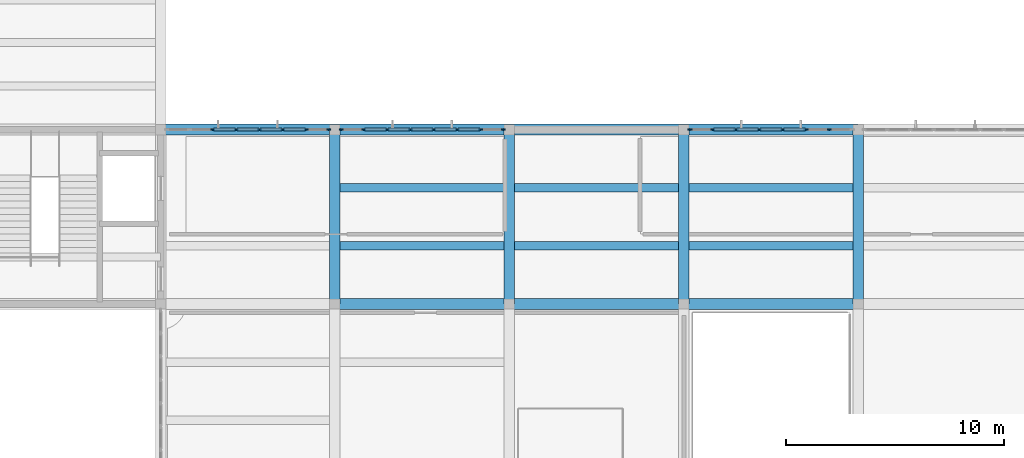
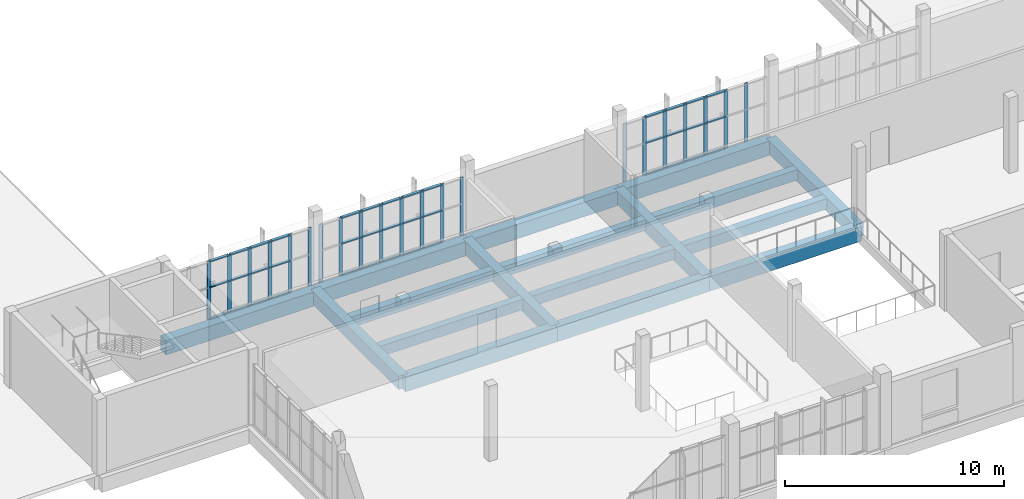
# One storey, part 16 of 70: 60 members, 17 beams, 3 elements without a shape of their own.
"""IFC4 building model written with IfcOpenShell, lengths in metres."""

from ifc_helpers import new_model, si_unit, direction, frame, origin, origin_2d, place, context, subcontext, project, spatial, rectangle, extrude, material, layer, layer_set, material_profile, profile_set, type_object, element, aggregate, save


model = new_model("IFC4")

# Units and contexts
model_context = context("Model", 3, precision=1e-05, world=origin(), true_north=direction((0.0, 1.0)))
body_context = subcontext(model_context, "Body", "Model", "MODEL_VIEW")
ifc_project = project(units=[si_unit("LENGTHUNIT", "METRE"), si_unit("AREAUNIT", "SQUARE_METRE"), si_unit("VOLUMEUNIT", "CUBIC_METRE"), si_unit("PLANEANGLEUNIT", "RADIAN"), si_unit("MASSUNIT", "GRAM", prefix="KILO")], contexts=[model_context])

# Site, building, storey
site_placement = place(None, origin())
site = spatial("IfcSite", under=ifc_project, at=site_placement, CompositionType="ELEMENT")
building_placement = place(site_placement, origin())
building = spatial("IfcBuilding", under=site, at=building_placement, Name="Solvane Community Centre", CompositionType="ELEMENT")
storey_placement = place(building_placement, frame((0.0, 0.0, 9.60009765625)))
storey = spatial("IfcBuildingStorey", under=building, at=storey_placement, Name="L02", CompositionType="ELEMENT", Elevation=9.60009765625)

# Curtain wall, members
ifc_material_1 = material(Name="Anodised bronze aluminium AW-6063 T6", Category="aluminium")
ifc_layer = layer(ifc_material_1, 0.18994140625)
ifc_layer_set = layer_set([ifc_layer], Name="Anodised bronze aluminium AW-6063 T6")
curtain_wall_type = type_object("IfcCurtainWallType", Name="Boulevard Bronze Vision Curtain Wall [75x32dm]", PredefinedType="NOTDEFINED", material=ifc_layer_set)
curtain_wall_1_placement = place(storey_placement, origin())
curtain_wall_1 = element("IfcCurtainWall", 1, at=curtain_wall_1_placement, inside=storey, type_object=curtain_wall_type, Name="Curtain Wall CW-L02-683_300-192", PredefinedType="NOTDEFINED")
ifc_material_profile_1 = material_profile(ifc_material_1, rectangle(XDim=0.06005859375, YDim=0.18994140625, at=origin_2d()), Name="CW-M 60x190")
ifc_profile_set_1 = profile_set([ifc_material_profile_1], Name="Anodised bronze aluminium AW-6063 T6")
member_type_1 = type_object("IfcMemberType", Name="Boulevard Mullion 60x190", PredefinedType="MULLION", material=ifc_profile_set_1)
member_1_placement = place(storey_placement, frame((70.39501953125, 30.0, 0.0), z_axis=(0.0, 0.0, 1.0), x_axis=(0.0, 1.0, 0.0)))
member_1 = element("IfcMember", 2, at=member_1_placement, type_object=member_type_1, Name="CW02-75x32 mullion 3", PredefinedType="MULLION", context=body_context, shape_type="SweptSolid", body=[
    extrude(rectangle(XDim=0.06005859375, YDim=0.18994140625, at=origin_2d()), origin(), (0.0, 0.0, 1.0), 3.244873046875),
])
member_2_placement = place(storey_placement, frame((71.465087890625, 30.0, 0.0), z_axis=(0.0, 0.0, 1.0), x_axis=(0.0, 1.0, 0.0)))
member_2 = element("IfcMember", 3, at=member_2_placement, type_object=member_type_1, Name="CW02-75x32 mullion 4", PredefinedType="MULLION", context=body_context, shape_type="SweptSolid", body=[
    extrude(rectangle(XDim=0.06005859375, YDim=0.18994140625, at=origin_2d()), origin(), (0.0, 0.0, 1.0), 3.244873046875),
])
member_3_placement = place(storey_placement, frame((72.534912109375, 30.0, 0.0), z_axis=(0.0, 0.0, 1.0), x_axis=(0.0, 1.0, 0.0)))
member_3 = element("IfcMember", 4, at=member_3_placement, type_object=member_type_1, Name="CW02-75x32 mullion 5", PredefinedType="MULLION", context=body_context, shape_type="SweptSolid", body=[
    extrude(rectangle(XDim=0.06005859375, YDim=0.18994140625, at=origin_2d()), origin(), (0.0, 0.0, 1.0), 3.244873046875),
])
member_4_placement = place(storey_placement, frame((73.60498046875, 30.0, 0.0), z_axis=(0.0, 0.0, 1.0), x_axis=(0.0, 1.0, 0.0)))
member_4 = element("IfcMember", 5, at=member_4_placement, type_object=member_type_1, Name="CW02-75x32 mullion 6", PredefinedType="MULLION", context=body_context, shape_type="SweptSolid", body=[
    extrude(rectangle(XDim=0.06005859375, YDim=0.18994140625, at=origin_2d()), origin(), (0.0, 0.0, 1.0), 3.244873046875),
])
member_5_placement = place(storey_placement, frame((74.675048828125, 30.0, 0.0), z_axis=(0.0, 0.0, 1.0), x_axis=(0.0, 1.0, 0.0)))
member_5 = element("IfcMember", 6, at=member_5_placement, type_object=member_type_1, Name="CW02-75x32 mullion 7", PredefinedType="MULLION", context=body_context, shape_type="SweptSolid", body=[
    extrude(rectangle(XDim=0.06005859375, YDim=0.18994140625, at=origin_2d()), origin(), (0.0, 0.0, 1.0), 3.244873046875),
])
member_6_placement = place(storey_placement, frame((75.715087890625, 30.0, 0.0), z_axis=(0.0, 0.0, 1.0), x_axis=(0.0, 1.0, 0.0)))
member_6 = element("IfcMember", 7, at=member_6_placement, type_object=member_type_1, Name="CW02-75x32 mullion 8", PredefinedType="MULLION", context=body_context, shape_type="SweptSolid", body=[
    extrude(rectangle(XDim=0.06005859375, YDim=0.18994140625, at=origin_2d()), origin(), (0.0, 0.0, 1.0), 3.244873046875),
])

curtain_wall_2_placement = place(storey_placement, origin())
curtain_wall_2 = element("IfcCurtainWall", 8, at=curtain_wall_2_placement, inside=storey, type_object=curtain_wall_type, Name="Curtain Wall CW-L02-763_300-193", PredefinedType="NOTDEFINED")
member_7_placement = place(storey_placement, frame((76.284912109375, 30.0, 0.0), z_axis=(0.0, 0.0, 1.0), x_axis=(0.0, 1.0, 0.0)))
member_7 = element("IfcMember", 9, at=member_7_placement, type_object=member_type_1, Name="CW02-75x32 mullion 1", PredefinedType="MULLION", context=body_context, shape_type="SweptSolid", body=[
    extrude(rectangle(XDim=0.06005859375, YDim=0.18994140625, at=origin_2d()), origin(), (0.0, 0.0, 1.0), 3.244873046875),
])
member_8_placement = place(storey_placement, frame((77.324951171875, 30.0, 0.0), z_axis=(0.0, 0.0, 1.0), x_axis=(0.0, 1.0, 0.0)))
member_8 = element("IfcMember", 10, at=member_8_placement, type_object=member_type_1, Name="CW02-75x32 mullion 2", PredefinedType="MULLION", context=body_context, shape_type="SweptSolid", body=[
    extrude(rectangle(XDim=0.06005859375, YDim=0.18994140625, at=origin_2d()), origin(), (0.0, 0.0, 1.0), 3.244873046875),
])
member_9_placement = place(storey_placement, frame((78.39501953125, 30.0, 0.0), z_axis=(0.0, 0.0, 1.0), x_axis=(0.0, 1.0, 0.0)))
member_9 = element("IfcMember", 11, at=member_9_placement, type_object=member_type_1, Name="CW02-75x32 mullion 3", PredefinedType="MULLION", context=body_context, shape_type="SweptSolid", body=[
    extrude(rectangle(XDim=0.06005859375, YDim=0.18994140625, at=origin_2d()), origin(), (0.0, 0.0, 1.0), 3.244873046875),
])
member_10_placement = place(storey_placement, frame((79.465087890625, 30.0, 0.0), z_axis=(0.0, 0.0, 1.0), x_axis=(0.0, 1.0, 0.0)))
member_10 = element("IfcMember", 12, at=member_10_placement, type_object=member_type_1, Name="CW02-75x32 mullion 4", PredefinedType="MULLION", context=body_context, shape_type="SweptSolid", body=[
    extrude(rectangle(XDim=0.06005859375, YDim=0.18994140625, at=origin_2d()), origin(), (0.0, 0.0, 1.0), 3.244873046875),
])
member_11_placement = place(storey_placement, frame((80.534912109375, 30.0, 0.0), z_axis=(0.0, 0.0, 1.0), x_axis=(0.0, 1.0, 0.0)))
member_11 = element("IfcMember", 13, at=member_11_placement, type_object=member_type_1, Name="CW02-75x32 mullion 5", PredefinedType="MULLION", context=body_context, shape_type="SweptSolid", body=[
    extrude(rectangle(XDim=0.06005859375, YDim=0.18994140625, at=origin_2d()), origin(), (0.0, 0.0, 1.0), 3.244873046875),
])
member_12_placement = place(storey_placement, frame((81.60498046875, 30.0, 0.0), z_axis=(0.0, 0.0, 1.0), x_axis=(0.0, 1.0, 0.0)))
member_12 = element("IfcMember", 14, at=member_12_placement, type_object=member_type_1, Name="CW02-75x32 mullion 6", PredefinedType="MULLION", context=body_context, shape_type="SweptSolid", body=[
    extrude(rectangle(XDim=0.06005859375, YDim=0.18994140625, at=origin_2d()), origin(), (0.0, 0.0, 1.0), 3.244873046875),
])
member_13_placement = place(storey_placement, frame((82.675048828125, 30.0, 0.0), z_axis=(0.0, 0.0, 1.0), x_axis=(0.0, 1.0, 0.0)))
member_13 = element("IfcMember", 15, at=member_13_placement, type_object=member_type_1, Name="CW02-75x32 mullion 7", PredefinedType="MULLION", context=body_context, shape_type="SweptSolid", body=[
    extrude(rectangle(XDim=0.06005859375, YDim=0.18994140625, at=origin_2d()), origin(), (0.0, 0.0, 1.0), 3.244873046875),
])
member_14_placement = place(storey_placement, frame((83.715087890625, 30.0, 0.0), z_axis=(0.0, 0.0, 1.0), x_axis=(0.0, 1.0, 0.0)))
member_14 = element("IfcMember", 16, at=member_14_placement, type_object=member_type_1, Name="CW02-75x32 mullion 8", PredefinedType="MULLION", context=body_context, shape_type="SweptSolid", body=[
    extrude(rectangle(XDim=0.06005859375, YDim=0.18994140625, at=origin_2d()), origin(), (0.0, 0.0, 1.0), 3.244873046875),
])

curtain_wall_3_placement = place(storey_placement, origin())
curtain_wall_3 = element("IfcCurtainWall", 17, at=curtain_wall_3_placement, inside=storey, type_object=curtain_wall_type, Name="Curtain Wall CW-L02-923_300-194", PredefinedType="NOTDEFINED")
member_15_placement = place(storey_placement, frame((92.284912109375, 30.0, 0.0), z_axis=(0.0, 0.0, 1.0), x_axis=(0.0, 1.0, 0.0)))
member_15 = element("IfcMember", 18, at=member_15_placement, type_object=member_type_1, Name="CW02-75x32 mullion 1", PredefinedType="MULLION", context=body_context, shape_type="SweptSolid", body=[
    extrude(rectangle(XDim=0.06005859375, YDim=0.18994140625, at=origin_2d()), origin(), (0.0, 0.0, 1.0), 3.244873046875),
])
member_16_placement = place(storey_placement, frame((93.324951171875, 30.0, 0.0), z_axis=(0.0, 0.0, 1.0), x_axis=(0.0, 1.0, 0.0)))
member_16 = element("IfcMember", 19, at=member_16_placement, type_object=member_type_1, Name="CW02-75x32 mullion 2", PredefinedType="MULLION", context=body_context, shape_type="SweptSolid", body=[
    extrude(rectangle(XDim=0.06005859375, YDim=0.18994140625, at=origin_2d()), origin(), (0.0, 0.0, 1.0), 3.244873046875),
])
member_17_placement = place(storey_placement, frame((94.39501953125, 30.0, 0.0), z_axis=(0.0, 0.0, 1.0), x_axis=(0.0, 1.0, 0.0)))
member_17 = element("IfcMember", 20, at=member_17_placement, type_object=member_type_1, Name="CW02-75x32 mullion 3", PredefinedType="MULLION", context=body_context, shape_type="SweptSolid", body=[
    extrude(rectangle(XDim=0.06005859375, YDim=0.18994140625, at=origin_2d()), origin(), (0.0, 0.0, 1.0), 3.244873046875),
])
member_18_placement = place(storey_placement, frame((95.465087890625, 30.0, 0.0), z_axis=(0.0, 0.0, 1.0), x_axis=(0.0, 1.0, 0.0)))
member_18 = element("IfcMember", 21, at=member_18_placement, type_object=member_type_1, Name="CW02-75x32 mullion 4", PredefinedType="MULLION", context=body_context, shape_type="SweptSolid", body=[
    extrude(rectangle(XDim=0.06005859375, YDim=0.18994140625, at=origin_2d()), origin(), (0.0, 0.0, 1.0), 3.244873046875),
])
member_19_placement = place(storey_placement, frame((96.534912109375, 30.0, 0.0), z_axis=(0.0, 0.0, 1.0), x_axis=(0.0, 1.0, 0.0)))
member_19 = element("IfcMember", 22, at=member_19_placement, type_object=member_type_1, Name="CW02-75x32 mullion 5", PredefinedType="MULLION", context=body_context, shape_type="SweptSolid", body=[
    extrude(rectangle(XDim=0.06005859375, YDim=0.18994140625, at=origin_2d()), origin(), (0.0, 0.0, 1.0), 3.244873046875),
])
member_20_placement = place(storey_placement, frame((97.60498046875, 30.0, 0.0), z_axis=(0.0, 0.0, 1.0), x_axis=(0.0, 1.0, 0.0)))
member_20 = element("IfcMember", 23, at=member_20_placement, type_object=member_type_1, Name="CW02-75x32 mullion 6", PredefinedType="MULLION", context=body_context, shape_type="SweptSolid", body=[
    extrude(rectangle(XDim=0.06005859375, YDim=0.18994140625, at=origin_2d()), origin(), (0.0, 0.0, 1.0), 3.244873046875),
])
member_21_placement = place(storey_placement, frame((98.675048828125, 30.0, 0.0), z_axis=(0.0, 0.0, 1.0), x_axis=(0.0, 1.0, 0.0)))
member_21 = element("IfcMember", 24, at=member_21_placement, type_object=member_type_1, Name="CW02-75x32 mullion 7", PredefinedType="MULLION", context=body_context, shape_type="SweptSolid", body=[
    extrude(rectangle(XDim=0.06005859375, YDim=0.18994140625, at=origin_2d()), origin(), (0.0, 0.0, 1.0), 3.244873046875),
])

# Member
ifc_material_profile_2 = material_profile(ifc_material_1, rectangle(XDim=0.14990234375, YDim=0.06005859375, at=origin_2d()), Name="CW-T 60x150")
ifc_profile_set_2 = profile_set([ifc_material_profile_2], Name="Anodised bronze aluminium AW-6063 T6")
member_type_2 = type_object("IfcMemberType", Name="Boulevard Transom 60x150", PredefinedType="USERDEFINED", material=ifc_profile_set_2)
member_22_placement = place(storey_placement, frame((70.425048828125, 30.0, 0.02978515625), z_axis=(1.0, 0.0, 0.0), x_axis=(0.0, 1.0, 0.0)))
member_22 = element("IfcMember", 25, at=member_22_placement, type_object=member_type_2, Name="CW02-75x32 transom 3.1", ObjectType="TRANSOM", PredefinedType="USERDEFINED", context=body_context, shape_type="SweptSolid", body=[
    extrude(rectangle(XDim=0.14990234375, YDim=0.06005859375, at=origin_2d()), origin(), (0.0, 0.0, 1.0), 1.010009765625),
])

member_23_placement = place(storey_placement, frame((70.425048828125, 30.0, 1.784912109375), z_axis=(1.0, 0.0, 0.0), x_axis=(0.0, 1.0, 0.0)))
member_23 = element("IfcMember", 26, at=member_23_placement, type_object=member_type_2, Name="CW02-75x32 transom 3.2", ObjectType="TRANSOM", PredefinedType="USERDEFINED", context=body_context, shape_type="SweptSolid", body=[
    extrude(rectangle(XDim=0.14990234375, YDim=0.06005859375, at=origin_2d()), origin(), (0.0, 0.0, 1.0), 1.010009765625),
])

member_24_placement = place(storey_placement, frame((70.425048828125, 30.0, 3.21484375), z_axis=(1.0, 0.0, 0.0), x_axis=(0.0, 1.0, 0.0)))
member_24 = element("IfcMember", 27, at=member_24_placement, type_object=member_type_2, Name="CW02-75x32 transom 3.3", ObjectType="TRANSOM", PredefinedType="USERDEFINED", context=body_context, shape_type="SweptSolid", body=[
    extrude(rectangle(XDim=0.14990234375, YDim=0.06005859375, at=origin_2d()), origin(), (0.0, 0.0, 1.0), 1.010009765625),
])

member_25_placement = place(storey_placement, frame((71.4951171875, 30.0, 0.02978515625), z_axis=(1.0, 0.0, 0.0), x_axis=(0.0, 1.0, 0.0)))
member_25 = element("IfcMember", 28, at=member_25_placement, type_object=member_type_2, Name="CW02-75x32 transom 4.1", ObjectType="TRANSOM", PredefinedType="USERDEFINED", context=body_context, shape_type="SweptSolid", body=[
    extrude(rectangle(XDim=0.14990234375, YDim=0.06005859375, at=origin_2d()), origin(), (0.0, 0.0, 1.0), 1.009765625),
])

member_26_placement = place(storey_placement, frame((71.4951171875, 30.0, 1.784912109375), z_axis=(1.0, 0.0, 0.0), x_axis=(0.0, 1.0, 0.0)))
member_26 = element("IfcMember", 29, at=member_26_placement, type_object=member_type_2, Name="CW02-75x32 transom 4.2", ObjectType="TRANSOM", PredefinedType="USERDEFINED", context=body_context, shape_type="SweptSolid", body=[
    extrude(rectangle(XDim=0.14990234375, YDim=0.06005859375, at=origin_2d()), origin(), (0.0, 0.0, 1.0), 1.009765625),
])

member_27_placement = place(storey_placement, frame((71.4951171875, 30.0, 3.21484375), z_axis=(1.0, 0.0, 0.0), x_axis=(0.0, 1.0, 0.0)))
member_27 = element("IfcMember", 30, at=member_27_placement, type_object=member_type_2, Name="CW02-75x32 transom 4.3", ObjectType="TRANSOM", PredefinedType="USERDEFINED", context=body_context, shape_type="SweptSolid", body=[
    extrude(rectangle(XDim=0.14990234375, YDim=0.06005859375, at=origin_2d()), origin(), (0.0, 0.0, 1.0), 1.009765625),
])

member_28_placement = place(storey_placement, frame((72.56494140625, 30.0, 0.02978515625), z_axis=(1.0, 0.0, 0.0), x_axis=(0.0, 1.0, 0.0)))
member_28 = element("IfcMember", 31, at=member_28_placement, type_object=member_type_2, Name="CW02-75x32 transom 5.1", ObjectType="TRANSOM", PredefinedType="USERDEFINED", context=body_context, shape_type="SweptSolid", body=[
    extrude(rectangle(XDim=0.14990234375, YDim=0.06005859375, at=origin_2d()), origin(), (0.0, 0.0, 1.0), 1.010009765625),
])

member_29_placement = place(storey_placement, frame((72.56494140625, 30.0, 1.784912109375), z_axis=(1.0, 0.0, 0.0), x_axis=(0.0, 1.0, 0.0)))
member_29 = element("IfcMember", 32, at=member_29_placement, type_object=member_type_2, Name="CW02-75x32 transom 5.2", ObjectType="TRANSOM", PredefinedType="USERDEFINED", context=body_context, shape_type="SweptSolid", body=[
    extrude(rectangle(XDim=0.14990234375, YDim=0.06005859375, at=origin_2d()), origin(), (0.0, 0.0, 1.0), 1.010009765625),
])

member_30_placement = place(storey_placement, frame((72.56494140625, 30.0, 3.21484375), z_axis=(1.0, 0.0, 0.0), x_axis=(0.0, 1.0, 0.0)))
member_30 = element("IfcMember", 33, at=member_30_placement, type_object=member_type_2, Name="CW02-75x32 transom 5.3", ObjectType="TRANSOM", PredefinedType="USERDEFINED", context=body_context, shape_type="SweptSolid", body=[
    extrude(rectangle(XDim=0.14990234375, YDim=0.06005859375, at=origin_2d()), origin(), (0.0, 0.0, 1.0), 1.010009765625),
])

member_31_placement = place(storey_placement, frame((73.635009765625, 30.0, 0.02978515625), z_axis=(1.0, 0.0, 0.0), x_axis=(0.0, 1.0, 0.0)))
member_31 = element("IfcMember", 34, at=member_31_placement, type_object=member_type_2, Name="CW02-75x32 transom 6.1", ObjectType="TRANSOM", PredefinedType="USERDEFINED", context=body_context, shape_type="SweptSolid", body=[
    extrude(rectangle(XDim=0.14990234375, YDim=0.06005859375, at=origin_2d()), origin(), (0.0, 0.0, 1.0), 1.010009765625),
])

member_32_placement = place(storey_placement, frame((73.635009765625, 30.0, 1.784912109375), z_axis=(1.0, 0.0, 0.0), x_axis=(0.0, 1.0, 0.0)))
member_32 = element("IfcMember", 35, at=member_32_placement, type_object=member_type_2, Name="CW02-75x32 transom 6.2", ObjectType="TRANSOM", PredefinedType="USERDEFINED", context=body_context, shape_type="SweptSolid", body=[
    extrude(rectangle(XDim=0.14990234375, YDim=0.06005859375, at=origin_2d()), origin(), (0.0, 0.0, 1.0), 1.010009765625),
])

member_33_placement = place(storey_placement, frame((73.635009765625, 30.0, 3.21484375), z_axis=(1.0, 0.0, 0.0), x_axis=(0.0, 1.0, 0.0)))
member_33 = element("IfcMember", 36, at=member_33_placement, type_object=member_type_2, Name="CW02-75x32 transom 6.3", ObjectType="TRANSOM", PredefinedType="USERDEFINED", context=body_context, shape_type="SweptSolid", body=[
    extrude(rectangle(XDim=0.14990234375, YDim=0.06005859375, at=origin_2d()), origin(), (0.0, 0.0, 1.0), 1.010009765625),
])

aggregate(curtain_wall_1, [member_1, member_2, member_3, member_4, member_5, member_6, member_22, member_23, member_24, member_25, member_26, member_27, member_28, member_29, member_30, member_31, member_32, member_33])

member_34_placement = place(storey_placement, frame((77.35498046875, 30.0, 0.02978515625), z_axis=(1.0, 0.0, 0.0), x_axis=(0.0, 1.0, 0.0)))
member_34 = element("IfcMember", 37, at=member_34_placement, type_object=member_type_2, Name="CW02-75x32 transom 2.1", ObjectType="TRANSOM", PredefinedType="USERDEFINED", context=body_context, shape_type="SweptSolid", body=[
    extrude(rectangle(XDim=0.14990234375, YDim=0.06005859375, at=origin_2d()), origin(), (0.0, 0.0, 1.0), 1.010009765625),
])

member_35_placement = place(storey_placement, frame((77.35498046875, 30.0, 1.784912109375), z_axis=(1.0, 0.0, 0.0), x_axis=(0.0, 1.0, 0.0)))
member_35 = element("IfcMember", 38, at=member_35_placement, type_object=member_type_2, Name="CW02-75x32 transom 2.2", ObjectType="TRANSOM", PredefinedType="USERDEFINED", context=body_context, shape_type="SweptSolid", body=[
    extrude(rectangle(XDim=0.14990234375, YDim=0.06005859375, at=origin_2d()), origin(), (0.0, 0.0, 1.0), 1.010009765625),
])

member_36_placement = place(storey_placement, frame((77.35498046875, 30.0, 3.21484375), z_axis=(1.0, 0.0, 0.0), x_axis=(0.0, 1.0, 0.0)))
member_36 = element("IfcMember", 39, at=member_36_placement, type_object=member_type_2, Name="CW02-75x32 transom 2.3", ObjectType="TRANSOM", PredefinedType="USERDEFINED", context=body_context, shape_type="SweptSolid", body=[
    extrude(rectangle(XDim=0.14990234375, YDim=0.06005859375, at=origin_2d()), origin(), (0.0, 0.0, 1.0), 1.010009765625),
])

member_37_placement = place(storey_placement, frame((78.425048828125, 30.0, 0.02978515625), z_axis=(1.0, 0.0, 0.0), x_axis=(0.0, 1.0, 0.0)))
member_37 = element("IfcMember", 40, at=member_37_placement, type_object=member_type_2, Name="CW02-75x32 transom 3.1", ObjectType="TRANSOM", PredefinedType="USERDEFINED", context=body_context, shape_type="SweptSolid", body=[
    extrude(rectangle(XDim=0.14990234375, YDim=0.06005859375, at=origin_2d()), origin(), (0.0, 0.0, 1.0), 1.010009765625),
])

member_38_placement = place(storey_placement, frame((78.425048828125, 30.0, 1.784912109375), z_axis=(1.0, 0.0, 0.0), x_axis=(0.0, 1.0, 0.0)))
member_38 = element("IfcMember", 41, at=member_38_placement, type_object=member_type_2, Name="CW02-75x32 transom 3.2", ObjectType="TRANSOM", PredefinedType="USERDEFINED", context=body_context, shape_type="SweptSolid", body=[
    extrude(rectangle(XDim=0.14990234375, YDim=0.06005859375, at=origin_2d()), origin(), (0.0, 0.0, 1.0), 1.010009765625),
])

member_39_placement = place(storey_placement, frame((78.425048828125, 30.0, 3.21484375), z_axis=(1.0, 0.0, 0.0), x_axis=(0.0, 1.0, 0.0)))
member_39 = element("IfcMember", 42, at=member_39_placement, type_object=member_type_2, Name="CW02-75x32 transom 3.3", ObjectType="TRANSOM", PredefinedType="USERDEFINED", context=body_context, shape_type="SweptSolid", body=[
    extrude(rectangle(XDim=0.14990234375, YDim=0.06005859375, at=origin_2d()), origin(), (0.0, 0.0, 1.0), 1.010009765625),
])

member_40_placement = place(storey_placement, frame((79.4951171875, 30.0, 0.02978515625), z_axis=(1.0, 0.0, 0.0), x_axis=(0.0, 1.0, 0.0)))
member_40 = element("IfcMember", 43, at=member_40_placement, type_object=member_type_2, Name="CW02-75x32 transom 4.1", ObjectType="TRANSOM", PredefinedType="USERDEFINED", context=body_context, shape_type="SweptSolid", body=[
    extrude(rectangle(XDim=0.14990234375, YDim=0.06005859375, at=origin_2d()), origin(), (0.0, 0.0, 1.0), 1.009765625),
])

member_41_placement = place(storey_placement, frame((79.4951171875, 30.0, 1.784912109375), z_axis=(1.0, 0.0, 0.0), x_axis=(0.0, 1.0, 0.0)))
member_41 = element("IfcMember", 44, at=member_41_placement, type_object=member_type_2, Name="CW02-75x32 transom 4.2", ObjectType="TRANSOM", PredefinedType="USERDEFINED", context=body_context, shape_type="SweptSolid", body=[
    extrude(rectangle(XDim=0.14990234375, YDim=0.06005859375, at=origin_2d()), origin(), (0.0, 0.0, 1.0), 1.009765625),
])

member_42_placement = place(storey_placement, frame((79.4951171875, 30.0, 3.21484375), z_axis=(1.0, 0.0, 0.0), x_axis=(0.0, 1.0, 0.0)))
member_42 = element("IfcMember", 45, at=member_42_placement, type_object=member_type_2, Name="CW02-75x32 transom 4.3", ObjectType="TRANSOM", PredefinedType="USERDEFINED", context=body_context, shape_type="SweptSolid", body=[
    extrude(rectangle(XDim=0.14990234375, YDim=0.06005859375, at=origin_2d()), origin(), (0.0, 0.0, 1.0), 1.009765625),
])

member_43_placement = place(storey_placement, frame((80.56494140625, 30.0, 0.02978515625), z_axis=(1.0, 0.0, 0.0), x_axis=(0.0, 1.0, 0.0)))
member_43 = element("IfcMember", 46, at=member_43_placement, type_object=member_type_2, Name="CW02-75x32 transom 5.1", ObjectType="TRANSOM", PredefinedType="USERDEFINED", context=body_context, shape_type="SweptSolid", body=[
    extrude(rectangle(XDim=0.14990234375, YDim=0.06005859375, at=origin_2d()), origin(), (0.0, 0.0, 1.0), 1.010009765625),
])

member_44_placement = place(storey_placement, frame((80.56494140625, 30.0, 1.784912109375), z_axis=(1.0, 0.0, 0.0), x_axis=(0.0, 1.0, 0.0)))
member_44 = element("IfcMember", 47, at=member_44_placement, type_object=member_type_2, Name="CW02-75x32 transom 5.2", ObjectType="TRANSOM", PredefinedType="USERDEFINED", context=body_context, shape_type="SweptSolid", body=[
    extrude(rectangle(XDim=0.14990234375, YDim=0.06005859375, at=origin_2d()), origin(), (0.0, 0.0, 1.0), 1.010009765625),
])

member_45_placement = place(storey_placement, frame((80.56494140625, 30.0, 3.21484375), z_axis=(1.0, 0.0, 0.0), x_axis=(0.0, 1.0, 0.0)))
member_45 = element("IfcMember", 48, at=member_45_placement, type_object=member_type_2, Name="CW02-75x32 transom 5.3", ObjectType="TRANSOM", PredefinedType="USERDEFINED", context=body_context, shape_type="SweptSolid", body=[
    extrude(rectangle(XDim=0.14990234375, YDim=0.06005859375, at=origin_2d()), origin(), (0.0, 0.0, 1.0), 1.010009765625),
])

member_46_placement = place(storey_placement, frame((81.635009765625, 30.0, 0.02978515625), z_axis=(1.0, 0.0, 0.0), x_axis=(0.0, 1.0, 0.0)))
member_46 = element("IfcMember", 49, at=member_46_placement, type_object=member_type_2, Name="CW02-75x32 transom 6.1", ObjectType="TRANSOM", PredefinedType="USERDEFINED", context=body_context, shape_type="SweptSolid", body=[
    extrude(rectangle(XDim=0.14990234375, YDim=0.06005859375, at=origin_2d()), origin(), (0.0, 0.0, 1.0), 1.010009765625),
])

member_47_placement = place(storey_placement, frame((81.635009765625, 30.0, 1.784912109375), z_axis=(1.0, 0.0, 0.0), x_axis=(0.0, 1.0, 0.0)))
member_47 = element("IfcMember", 50, at=member_47_placement, type_object=member_type_2, Name="CW02-75x32 transom 6.2", ObjectType="TRANSOM", PredefinedType="USERDEFINED", context=body_context, shape_type="SweptSolid", body=[
    extrude(rectangle(XDim=0.14990234375, YDim=0.06005859375, at=origin_2d()), origin(), (0.0, 0.0, 1.0), 1.010009765625),
])

member_48_placement = place(storey_placement, frame((81.635009765625, 30.0, 3.21484375), z_axis=(1.0, 0.0, 0.0), x_axis=(0.0, 1.0, 0.0)))
member_48 = element("IfcMember", 51, at=member_48_placement, type_object=member_type_2, Name="CW02-75x32 transom 6.3", ObjectType="TRANSOM", PredefinedType="USERDEFINED", context=body_context, shape_type="SweptSolid", body=[
    extrude(rectangle(XDim=0.14990234375, YDim=0.06005859375, at=origin_2d()), origin(), (0.0, 0.0, 1.0), 1.010009765625),
])

aggregate(curtain_wall_2, [member_7, member_8, member_9, member_10, member_11, member_12, member_13, member_14, member_34, member_35, member_36, member_37, member_38, member_39, member_40, member_41, member_42, member_43, member_44, member_45, member_46, member_47, member_48])

member_49_placement = place(storey_placement, frame((93.35498046875, 30.0, 0.02978515625), z_axis=(1.0, 0.0, 0.0), x_axis=(0.0, 1.0, 0.0)))
member_49 = element("IfcMember", 52, at=member_49_placement, type_object=member_type_2, Name="CW02-75x32 transom 2.1", ObjectType="TRANSOM", PredefinedType="USERDEFINED", context=body_context, shape_type="SweptSolid", body=[
    extrude(rectangle(XDim=0.14990234375, YDim=0.06005859375, at=origin_2d()), origin(), (0.0, 0.0, 1.0), 1.010009765625),
])

member_50_placement = place(storey_placement, frame((93.35498046875, 30.0, 1.784912109375), z_axis=(1.0, 0.0, 0.0), x_axis=(0.0, 1.0, 0.0)))
member_50 = element("IfcMember", 53, at=member_50_placement, type_object=member_type_2, Name="CW02-75x32 transom 2.2", ObjectType="TRANSOM", PredefinedType="USERDEFINED", context=body_context, shape_type="SweptSolid", body=[
    extrude(rectangle(XDim=0.14990234375, YDim=0.06005859375, at=origin_2d()), origin(), (0.0, 0.0, 1.0), 1.010009765625),
])

member_51_placement = place(storey_placement, frame((93.35498046875, 30.0, 3.21484375), z_axis=(1.0, 0.0, 0.0), x_axis=(0.0, 1.0, 0.0)))
member_51 = element("IfcMember", 54, at=member_51_placement, type_object=member_type_2, Name="CW02-75x32 transom 2.3", ObjectType="TRANSOM", PredefinedType="USERDEFINED", context=body_context, shape_type="SweptSolid", body=[
    extrude(rectangle(XDim=0.14990234375, YDim=0.06005859375, at=origin_2d()), origin(), (0.0, 0.0, 1.0), 1.010009765625),
])

member_52_placement = place(storey_placement, frame((94.425048828125, 30.0, 0.02978515625), z_axis=(1.0, 0.0, 0.0), x_axis=(0.0, 1.0, 0.0)))
member_52 = element("IfcMember", 55, at=member_52_placement, type_object=member_type_2, Name="CW02-75x32 transom 3.1", ObjectType="TRANSOM", PredefinedType="USERDEFINED", context=body_context, shape_type="SweptSolid", body=[
    extrude(rectangle(XDim=0.14990234375, YDim=0.06005859375, at=origin_2d()), origin(), (0.0, 0.0, 1.0), 1.010009765625),
])

member_53_placement = place(storey_placement, frame((94.425048828125, 30.0, 1.784912109375), z_axis=(1.0, 0.0, 0.0), x_axis=(0.0, 1.0, 0.0)))
member_53 = element("IfcMember", 56, at=member_53_placement, type_object=member_type_2, Name="CW02-75x32 transom 3.2", ObjectType="TRANSOM", PredefinedType="USERDEFINED", context=body_context, shape_type="SweptSolid", body=[
    extrude(rectangle(XDim=0.14990234375, YDim=0.06005859375, at=origin_2d()), origin(), (0.0, 0.0, 1.0), 1.010009765625),
])

member_54_placement = place(storey_placement, frame((94.425048828125, 30.0, 3.21484375), z_axis=(1.0, 0.0, 0.0), x_axis=(0.0, 1.0, 0.0)))
member_54 = element("IfcMember", 57, at=member_54_placement, type_object=member_type_2, Name="CW02-75x32 transom 3.3", ObjectType="TRANSOM", PredefinedType="USERDEFINED", context=body_context, shape_type="SweptSolid", body=[
    extrude(rectangle(XDim=0.14990234375, YDim=0.06005859375, at=origin_2d()), origin(), (0.0, 0.0, 1.0), 1.010009765625),
])

member_55_placement = place(storey_placement, frame((95.4951171875, 30.0, 0.02978515625), z_axis=(1.0, 0.0, 0.0), x_axis=(0.0, 1.0, 0.0)))
member_55 = element("IfcMember", 58, at=member_55_placement, type_object=member_type_2, Name="CW02-75x32 transom 4.1", ObjectType="TRANSOM", PredefinedType="USERDEFINED", context=body_context, shape_type="SweptSolid", body=[
    extrude(rectangle(XDim=0.14990234375, YDim=0.06005859375, at=origin_2d()), origin(), (0.0, 0.0, 1.0), 1.009765625),
])

member_56_placement = place(storey_placement, frame((95.4951171875, 30.0, 1.784912109375), z_axis=(1.0, 0.0, 0.0), x_axis=(0.0, 1.0, 0.0)))
member_56 = element("IfcMember", 59, at=member_56_placement, type_object=member_type_2, Name="CW02-75x32 transom 4.2", ObjectType="TRANSOM", PredefinedType="USERDEFINED", context=body_context, shape_type="SweptSolid", body=[
    extrude(rectangle(XDim=0.14990234375, YDim=0.06005859375, at=origin_2d()), origin(), (0.0, 0.0, 1.0), 1.009765625),
])

member_57_placement = place(storey_placement, frame((95.4951171875, 30.0, 3.21484375), z_axis=(1.0, 0.0, 0.0), x_axis=(0.0, 1.0, 0.0)))
member_57 = element("IfcMember", 60, at=member_57_placement, type_object=member_type_2, Name="CW02-75x32 transom 4.3", ObjectType="TRANSOM", PredefinedType="USERDEFINED", context=body_context, shape_type="SweptSolid", body=[
    extrude(rectangle(XDim=0.14990234375, YDim=0.06005859375, at=origin_2d()), origin(), (0.0, 0.0, 1.0), 1.009765625),
])

member_58_placement = place(storey_placement, frame((96.56494140625, 30.0, 0.02978515625), z_axis=(1.0, 0.0, 0.0), x_axis=(0.0, 1.0, 0.0)))
member_58 = element("IfcMember", 61, at=member_58_placement, type_object=member_type_2, Name="CW02-75x32 transom 5.1", ObjectType="TRANSOM", PredefinedType="USERDEFINED", context=body_context, shape_type="SweptSolid", body=[
    extrude(rectangle(XDim=0.14990234375, YDim=0.06005859375, at=origin_2d()), origin(), (0.0, 0.0, 1.0), 1.010009765625),
])

member_59_placement = place(storey_placement, frame((96.56494140625, 30.0, 1.784912109375), z_axis=(1.0, 0.0, 0.0), x_axis=(0.0, 1.0, 0.0)))
member_59 = element("IfcMember", 62, at=member_59_placement, type_object=member_type_2, Name="CW02-75x32 transom 5.2", ObjectType="TRANSOM", PredefinedType="USERDEFINED", context=body_context, shape_type="SweptSolid", body=[
    extrude(rectangle(XDim=0.14990234375, YDim=0.06005859375, at=origin_2d()), origin(), (0.0, 0.0, 1.0), 1.010009765625),
])

member_60_placement = place(storey_placement, frame((96.56494140625, 30.0, 3.21484375), z_axis=(1.0, 0.0, 0.0), x_axis=(0.0, 1.0, 0.0)))
member_60 = element("IfcMember", 63, at=member_60_placement, type_object=member_type_2, Name="CW02-75x32 transom 5.3", ObjectType="TRANSOM", PredefinedType="USERDEFINED", context=body_context, shape_type="SweptSolid", body=[
    extrude(rectangle(XDim=0.14990234375, YDim=0.06005859375, at=origin_2d()), origin(), (0.0, 0.0, 1.0), 1.010009765625),
])

aggregate(curtain_wall_3, [member_15, member_16, member_17, member_18, member_19, member_20, member_21, member_49, member_50, member_51, member_52, member_53, member_54, member_55, member_56, member_57, member_58, member_59, member_60])

# Beams
ifc_material_2 = material(Name="Concrete C35/45", Category="concrete")
ifc_material_profile_3 = material_profile(ifc_material_2, rectangle(XDim=0.47998046875, YDim=0.739990234375, at=origin_2d()), Name="RC 480x740")
ifc_profile_set_3 = profile_set([ifc_material_profile_3], Name="Concrete C35/45")
beam_type_1 = type_object("IfcBeamType", Name="RC Bay Beam 480x740", PredefinedType="BEAM", material=ifc_profile_set_3)
for number, where, z_axis, x_axis, name in (
    (64, (76.0, 22.0, -0.590087890625), (0.0, 1.0, 0.0), (-1.0, 0.0, 0.0), "Beam BM-L02-760_220-760_300"),
    (65, (84.0, 22.0, -0.590087890625), (0.0, 1.0, 0.0), (-1.0, 0.0, 0.0), "Beam BM-L02-840_220-840_300"),
    (66, (92.0, 22.0, -0.590087890625), (0.0, 1.0, 0.0), (-1.0, 0.0, 0.0), "Beam BM-L02-920_220-920_300"),
    (67, (100.0, 22.0, -0.590087890625), (0.0, 1.0, 0.0), (-1.0, 0.0, 0.0), "Beam BM-L02-1000_220-1000_300"),
):
    element("IfcBeam", number, at=place(storey_placement, frame(where, z_axis=z_axis, x_axis=x_axis)), inside=storey, type_object=beam_type_1, Name=name, PredefinedType="BEAM", context=body_context, shape_type="SweptSolid", body=[
        extrude(rectangle(XDim=0.47998046875, YDim=0.739990234375, at=origin_2d()), origin(), (0.0, 0.0, 1.0), 8.0),
    ])
ifc_material_profile_4 = material_profile(ifc_material_2, rectangle(XDim=0.5, YDim=0.800048828125, at=origin_2d()), Name="RC 500x800")
ifc_profile_set_4 = profile_set([ifc_material_profile_4], Name="Concrete C35/45")
beam_type_2 = type_object("IfcBeamType", Name="RC Primary Girder 500x800", PredefinedType="USERDEFINED", material=ifc_profile_set_4)
for number, where, z_axis, x_axis, name in (
    (68, (76.0, 22.0, -0.6201171875), (1.0, 0.0, 0.0), (0.0, 1.0, 0.0), "Beam BM-L02-760_220-840_220"),
    (69, (84.0, 22.0, -0.6201171875), (1.0, 0.0, 0.0), (0.0, 1.0, 0.0), "Beam BM-L02-840_220-920_220"),
    (70, (92.0, 22.0, -0.6201171875), (1.0, 0.0, 0.0), (0.0, 1.0, 0.0), "Beam BM-L02-920_220-1000_220"),
    (71, (68.0, 30.0, -0.6201171875), (1.0, 0.0, 0.0), (0.0, 1.0, 0.0), "Beam BM-L02-680_300-760_300"),
    (72, (76.0, 30.0, -0.6201171875), (1.0, 0.0, 0.0), (0.0, 1.0, 0.0), "Beam BM-L02-760_300-840_300"),
    (73, (84.0, 30.0, -0.6201171875), (1.0, 0.0, 0.0), (0.0, 1.0, 0.0), "Beam BM-L02-840_300-920_300"),
    (74, (92.0, 30.0, -0.6201171875), (1.0, 0.0, 0.0), (0.0, 1.0, 0.0), "Beam BM-L02-920_300-1000_300"),
):
    element("IfcBeam", number, at=place(storey_placement, frame(where, z_axis=z_axis, x_axis=x_axis)), inside=storey, type_object=beam_type_2, Name=name, ObjectType="GIRDER", PredefinedType="USERDEFINED", context=body_context, shape_type="SweptSolid", body=[
        extrude(rectangle(XDim=0.5, YDim=0.800048828125, at=origin_2d()), origin(), (0.0, 0.0, 1.0), 8.0),
    ])
ifc_material_profile_5 = material_profile(ifc_material_2, rectangle(XDim=0.3798828125, YDim=0.580078125, at=origin_2d()), Name="RC 380x580")
ifc_profile_set_5 = profile_set([ifc_material_profile_5], Name="Concrete C35/45")
beam_type_3 = type_object("IfcBeamType", Name="RC Short Joist 380x580", PredefinedType="JOIST", material=ifc_profile_set_5)
for number, where, z_axis, x_axis, name in (
    (75, (76.239990234375, 24.666748046875, -0.510009765625), (1.0, 0.0, 0.0), (0.0, 1.0, 0.0), "Beam BM-L02-762_247-838_247"),
    (76, (76.239990234375, 27.333251953125, -0.510009765625), (1.0, 0.0, 0.0), (0.0, 1.0, 0.0), "Beam BM-L02-762_273-838_273"),
    (77, (84.239990234375, 24.666748046875, -0.510009765625), (1.0, 0.0, 0.0), (0.0, 1.0, 0.0), "Beam BM-L02-842_247-918_247"),
    (78, (84.239990234375, 27.333251953125, -0.510009765625), (1.0, 0.0, 0.0), (0.0, 1.0, 0.0), "Beam BM-L02-842_273-918_273"),
    (79, (92.239990234375, 24.666748046875, -0.510009765625), (1.0, 0.0, 0.0), (0.0, 1.0, 0.0), "Beam BM-L02-922_247-998_247"),
    (80, (92.239990234375, 27.333251953125, -0.510009765625), (1.0, 0.0, 0.0), (0.0, 1.0, 0.0), "Beam BM-L02-922_273-998_273"),
):
    element("IfcBeam", number, at=place(storey_placement, frame(where, z_axis=z_axis, x_axis=x_axis)), inside=storey, type_object=beam_type_3, Name=name, PredefinedType="JOIST", context=body_context, shape_type="SweptSolid", body=[
        extrude(rectangle(XDim=0.3798828125, YDim=0.580078125, at=origin_2d()), origin(), (0.0, 0.0, 1.0), 7.52001953125),
    ])

save(model, "model.ifc")
